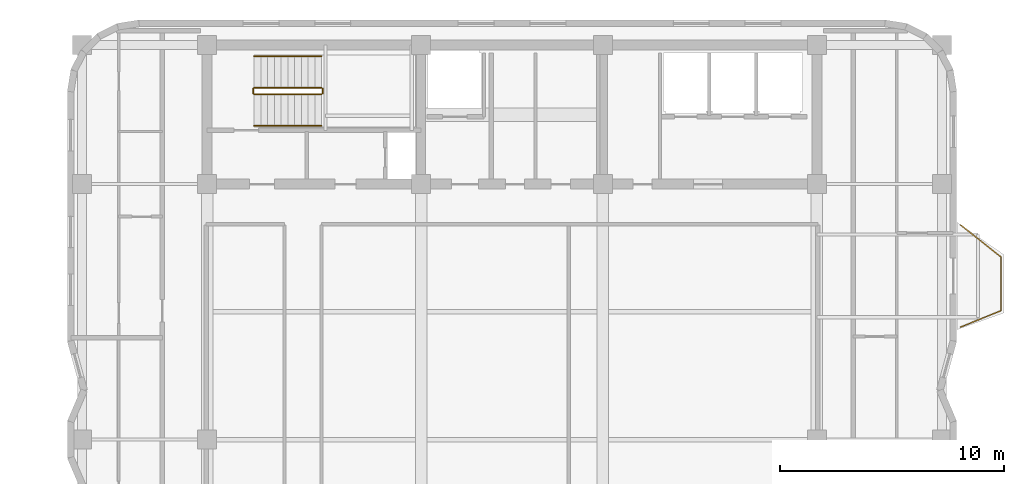
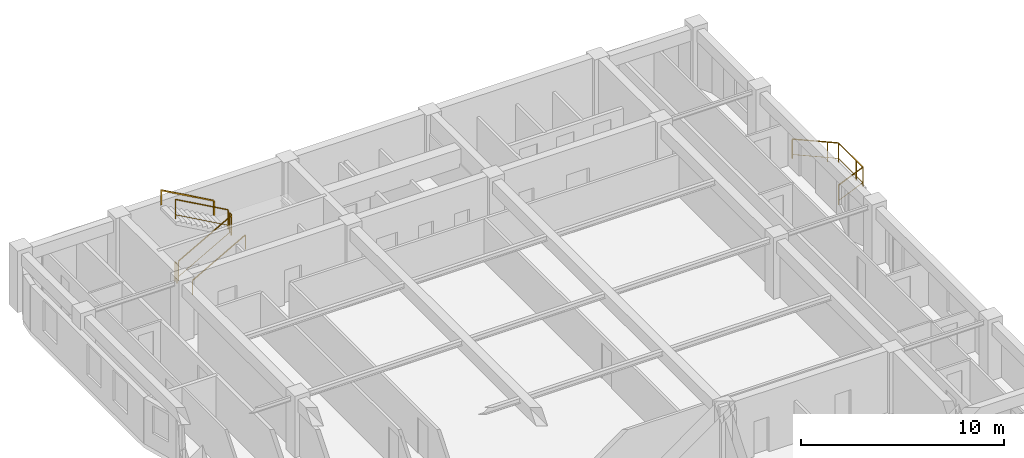
# One storey, part 8 of 8: 7 railings.
"""IFC4 building model written with IfcOpenShell, lengths in metres."""

from ifc_helpers import new_model, si_unit, direction, frame, origin, origin_2d, place, context, subcontext, project, spatial, rectangle, extrude, material, type_object, element, save


model = new_model("IFC4")

# Units and contexts
model_context = context("Model", 3, precision=1e-05, world=origin(), true_north=direction((0.0, 1.0)))
body_context = subcontext(model_context, "Body", "Model", "MODEL_VIEW")
ifc_project = project(units=[si_unit("LENGTHUNIT", "METRE"), si_unit("AREAUNIT", "SQUARE_METRE"), si_unit("VOLUMEUNIT", "CUBIC_METRE"), si_unit("PLANEANGLEUNIT", "RADIAN"), si_unit("MASSUNIT", "GRAM", prefix="KILO")], contexts=[model_context])

# Site, building, storey
site_placement = place(None, origin())
site = spatial("IfcSite", under=ifc_project, at=site_placement, CompositionType="ELEMENT")
building_placement = place(site_placement, origin())
building = spatial("IfcBuilding", under=site, at=building_placement, Name="Svetorya Sky Lyceum", CompositionType="ELEMENT")
storey_placement = place(building_placement, frame((0.0, 0.0, 251.699951171875)))
storey = spatial("IfcBuildingStorey", under=building, at=storey_placement, Name="L63", CompositionType="ELEMENT", Elevation=251.699951171875)

# Railings
ifc_material_1 = material(Name="Laminated safety glass and stainless AISI 316", Category="glass")
railing_type_1 = type_object("IfcRailingType", Name="RL-BAL-1200", PredefinedType="BALUSTRADE", material=ifc_material_1)
railing_1_placement = place(storey_placement, frame((59.2099609375, 37.780029296875, 0.0)))
element("IfcRailing", 1, at=railing_1_placement, inside=storey, type_object=railing_type_1, Name="L63 Balcony Balustrade BAL-E1", PredefinedType="BALUSTRADE", context=body_context, shape_type="SweptSolid", body=[
    extrude(rectangle(XDim=0.048095703125, YDim=0.048095703125, at=origin_2d()), frame((0.0, 0.0, 1.17578125), z_axis=(0.783008919264, -0.622010476079, 0.0), x_axis=(0.622010476079, 0.783008919264, 0.0)), (0.0, 0.0, 1.0), 2.298828125),
    extrude(rectangle(XDim=0.02392578125, YDim=0.02392578125, at=origin_2d()), frame((0.0, 0.0, 0.25), z_axis=(0.783008919264, -0.622010476079, 0.0), x_axis=(0.622010476079, 0.783008919264, 0.0)), (0.0, 0.0, 1.0), 2.298828125),
    extrude(rectangle(XDim=0.048095703125, YDim=0.048095703125, at=origin_2d()), frame((1.800048828125, -1.429931640625, 1.17578125), z_axis=(0.0, -1.0, 0.0), x_axis=(1.0, 0.0, 0.0)), (0.0, 0.0, 1.0), 2.400146484375),
    extrude(rectangle(XDim=0.02392578125, YDim=0.02392578125, at=origin_2d()), frame((1.800048828125, -1.429931640625, 0.25), z_axis=(0.0, -1.0, 0.0), x_axis=(1.0, 0.0, 0.0)), (0.0, 0.0, 1.0), 2.400146484375),
    extrude(rectangle(XDim=0.048095703125, YDim=0.048095703125, at=origin_2d()), frame((1.800048828125, -3.830078125, 1.17578125), z_axis=(-0.926697865975, -0.375807218129, 0.0), x_axis=(0.375807218129, -0.926697865975, 0.0)), (0.0, 0.0, 1.0), 1.9423828125),
    extrude(rectangle(XDim=0.02392578125, YDim=0.02392578125, at=origin_2d()), frame((1.800048828125, -3.830078125, 0.25), z_axis=(-0.926697865975, -0.375807218129, 0.0), x_axis=(0.375807218129, -0.926697865975, 0.0)), (0.0, 0.0, 1.0), 1.9423828125),
    extrude(rectangle(XDim=0.0419921875, YDim=0.0419921875, at=origin_2d()), origin(), (0.0, 0.0, 1.0), 1.15185546875),
    extrude(rectangle(XDim=0.0419921875, YDim=0.0419921875, at=origin_2d()), frame((1.370361328125, -1.088623046875, 0.0)), (0.0, 0.0, 1.0), 1.15185546875),
    extrude(rectangle(XDim=0.0419921875, YDim=0.0419921875, at=origin_2d()), frame((1.800048828125, -1.429931640625, 0.0)), (0.0, 0.0, 1.0), 1.15185546875),
    extrude(rectangle(XDim=0.0419921875, YDim=0.0419921875, at=origin_2d()), frame((1.800048828125, -3.179931640625, 0.0)), (0.0, 0.0, 1.0), 1.15185546875),
    extrude(rectangle(XDim=0.0419921875, YDim=0.0419921875, at=origin_2d()), frame((1.800048828125, -3.830078125, 0.0)), (0.0, 0.0, 1.0), 1.15185546875),
    extrude(rectangle(XDim=0.0419921875, YDim=0.0419921875, at=origin_2d()), frame((0.0, -4.56005859375, 0.0)), (0.0, 0.0, 1.0), 1.15185546875),
])
ifc_material_2 = material(Name="Painted galvanized stair well guard")
railing_type_2 = type_object("IfcRailingType", Name="RL-STR-GUARD-1200", PredefinedType="GUARDRAIL", material=ifc_material_2)
railing_2_placement = place(storey_placement, frame((27.699951171875, 43.60009765625, 0.168212890625)))
element("IfcRailing", 2, at=railing_2_placement, inside=storey, type_object=railing_type_2, Name="L63 ST-N stair guard 1", PredefinedType="GUARDRAIL", context=body_context, shape_type="SweptSolid", body=[
    extrude(rectangle(XDim=0.048095703125, YDim=0.048095703125, at=origin_2d()), frame((0.0, 0.0, 1.17578125), z_axis=(0.872272294576, 0.0, 0.489020494575), x_axis=(0.0, 1.0, 0.0)), (0.0, 0.0, 1.0), 3.439208984375),
    extrude(rectangle(XDim=0.02392578125, YDim=0.02392578125, at=origin_2d()), frame((0.0, 0.0, 0.25), z_axis=(0.872272294576, 0.0, 0.489020494575), x_axis=(0.0, 1.0, 0.0)), (0.0, 0.0, 1.0), 3.439208984375),
    extrude(rectangle(XDim=0.0419921875, YDim=0.0419921875, at=origin_2d()), origin(), (0.0, 0.0, 1.0), 1.15185546875),
    extrude(rectangle(XDim=0.0419921875, YDim=0.0419921875, at=origin_2d()), frame((3.0, 0.0, 1.681884765625)), (0.0, 0.0, 1.0), 1.15185546875),
])
railing_3_placement = place(storey_placement, frame((30.75, 43.64990234375, 1.85009765625)))
element("IfcRailing", 3, at=railing_3_placement, inside=storey, type_object=railing_type_2, Name="L63 ST-N stair guard 2", PredefinedType="GUARDRAIL", context=body_context, shape_type="SweptSolid", body=[
    extrude(rectangle(XDim=0.048095703125, YDim=0.048095703125, at=origin_2d()), frame((0.0, 0.0, 1.17578125), z_axis=(0.0, 1.0, 0.0), x_axis=(-1.0, 0.0, 0.0)), (0.0, 0.0, 1.0), 0.2001953125),
    extrude(rectangle(XDim=0.02392578125, YDim=0.02392578125, at=origin_2d()), frame((0.0, 0.0, 0.25), z_axis=(0.0, 1.0, 0.0), x_axis=(-1.0, 0.0, 0.0)), (0.0, 0.0, 1.0), 0.2001953125),
    extrude(rectangle(XDim=0.0419921875, YDim=0.0419921875, at=origin_2d()), origin(), (0.0, 0.0, 1.0), 1.15185546875),
    extrude(rectangle(XDim=0.0419921875, YDim=0.0419921875, at=origin_2d()), frame((0.0, 0.2001953125, 0.0)), (0.0, 0.0, 1.0), 1.15185546875),
])
railing_4_placement = place(storey_placement, frame((30.699951171875, 43.89990234375, 2.018310546875)))
element("IfcRailing", 4, at=railing_4_placement, inside=storey, type_object=railing_type_2, Name="L63 ST-N stair guard 3", PredefinedType="GUARDRAIL", context=body_context, shape_type="SweptSolid", body=[
    extrude(rectangle(XDim=0.048095703125, YDim=0.048095703125, at=origin_2d()), frame((0.0, 0.0, 1.17578125), z_axis=(-0.872302573547, 0.0, 0.488966481656), x_axis=(0.0, -1.0, 0.0)), (0.0, 0.0, 1.0), 3.439208984375),
    extrude(rectangle(XDim=0.02392578125, YDim=0.02392578125, at=origin_2d()), frame((0.0, 0.0, 0.25), z_axis=(-0.872302573547, 0.0, 0.488966481656), x_axis=(0.0, -1.0, 0.0)), (0.0, 0.0, 1.0), 3.439208984375),
    extrude(rectangle(XDim=0.0419921875, YDim=0.0419921875, at=origin_2d()), origin(), (0.0, 0.0, 1.0), 1.15185546875),
    extrude(rectangle(XDim=0.0419921875, YDim=0.0419921875, at=origin_2d()), frame((-3.0, 0.0, 1.681640625)), (0.0, 0.0, 1.0), 1.15185546875),
])
railing_5_placement = place(storey_placement, frame((27.64990234375, 43.64990234375, 0.0)))
element("IfcRailing", 5, at=railing_5_placement, inside=storey, type_object=railing_type_2, Name="L63 ST-N stair guard 4", PredefinedType="GUARDRAIL", context=body_context, shape_type="SweptSolid", body=[
    extrude(rectangle(XDim=0.048095703125, YDim=0.048095703125, at=origin_2d()), frame((0.0, 0.0, 1.17578125), z_axis=(0.0, 1.0, 0.0), x_axis=(-1.0, 0.0, 0.0)), (0.0, 0.0, 1.0), 0.2001953125),
    extrude(rectangle(XDim=0.02392578125, YDim=0.02392578125, at=origin_2d()), frame((0.0, 0.0, 0.25), z_axis=(0.0, 1.0, 0.0), x_axis=(-1.0, 0.0, 0.0)), (0.0, 0.0, 1.0), 0.2001953125),
    extrude(rectangle(XDim=0.0419921875, YDim=0.0419921875, at=origin_2d()), origin(), (0.0, 0.0, 1.0), 1.15185546875),
    extrude(rectangle(XDim=0.0419921875, YDim=0.0419921875, at=origin_2d()), frame((0.0, 0.2001953125, 0.0)), (0.0, 0.0, 1.0), 1.15185546875),
])
ifc_material_3 = material(Name="Brushed stainless AISI 304 stair handrail")
railing_type_3 = type_object("IfcRailingType", Name="RL-STR-HAND-920", PredefinedType="HANDRAIL", material=ifc_material_3)
railing_6_placement = place(storey_placement, frame((27.699951171875, 42.199951171875, 0.168212890625)))
element("IfcRailing", 6, at=railing_6_placement, inside=storey, type_object=railing_type_3, Name="L63 ST-N stair handrail 1", PredefinedType="HANDRAIL", context=body_context, shape_type="SweptSolid", body=[
    extrude(rectangle(XDim=0.048095703125, YDim=0.048095703125, at=origin_2d()), frame((0.0, 0.0, 0.8759765625), z_axis=(0.872272294576, 0.0, 0.489020494575), x_axis=(0.0, 1.0, 0.0)), (0.0, 0.0, 1.0), 3.439208984375),
    extrude(rectangle(XDim=0.0419921875, YDim=0.0419921875, at=origin_2d()), origin(), (0.0, 0.0, 1.0), 0.851806640625),
    extrude(rectangle(XDim=0.0419921875, YDim=0.0419921875, at=origin_2d()), frame((3.0, 0.0, 1.681884765625)), (0.0, 0.0, 1.0), 0.851806640625),
])
railing_7_placement = place(storey_placement, frame((30.699951171875, 45.300048828125, 2.018310546875)))
element("IfcRailing", 7, at=railing_7_placement, inside=storey, type_object=railing_type_3, Name="L63 ST-N stair handrail 2", PredefinedType="HANDRAIL", context=body_context, shape_type="SweptSolid", body=[
    extrude(rectangle(XDim=0.048095703125, YDim=0.048095703125, at=origin_2d()), frame((0.0, 0.0, 0.8759765625), z_axis=(-0.872302573547, 0.0, 0.488966481656), x_axis=(0.0, -1.0, 0.0)), (0.0, 0.0, 1.0), 3.439208984375),
    extrude(rectangle(XDim=0.0419921875, YDim=0.0419921875, at=origin_2d()), origin(), (0.0, 0.0, 1.0), 0.851806640625),
    extrude(rectangle(XDim=0.0419921875, YDim=0.0419921875, at=origin_2d()), frame((-3.0, 0.0, 1.681640625)), (0.0, 0.0, 1.0), 0.851806640625),
])

save(model, "model.ifc")
